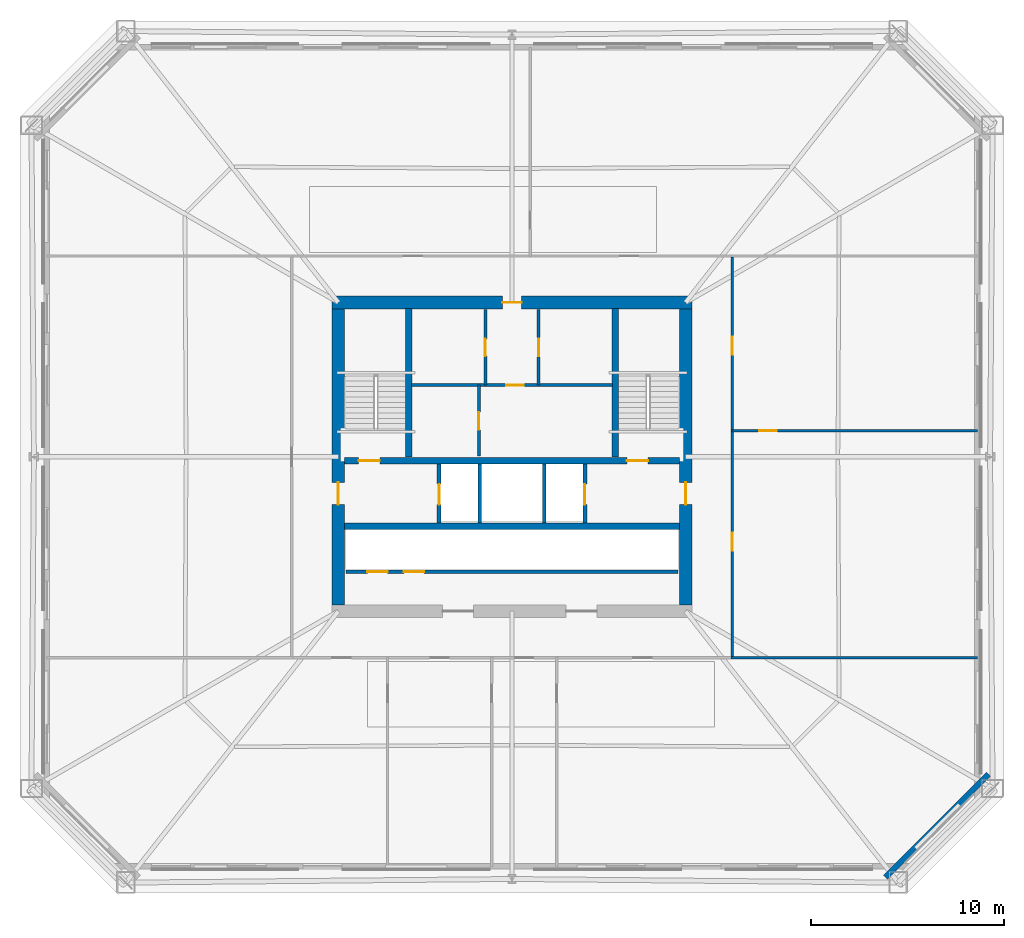
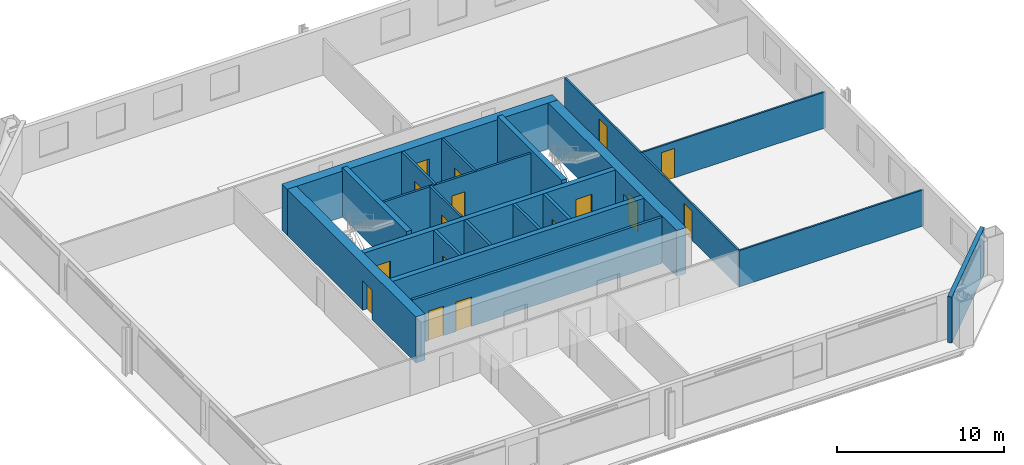
# One storey, part 5 of 9: 20 walls, 16 doors, 16 openings.
"""IFC4 building model written with IfcOpenShell, lengths in metres."""

import ifcopenshell
import ifcopenshell.guid

model = None  # the IFC model being written
_history = None  # IfcOwnerHistory: only IFC2X3 demands one
_inside = {}  # id of a spatial element -> (the spatial element, [elements in it])
_under = {}  # id of a project, library or spatial element -> (it, [spatial elements below it])
_declared = {}  # id of a project -> (the project, [libraries it declares])
_typed = {}  # id of a type object -> (the type object, [elements of that type])
_made_of = {}  # id of a material, layer set ... -> (it, [elements and type objects made of it])


def new_model(schema):
    """Start an empty IFC model of exactly this schema.

    Asked for "IFC4X3", IfcOpenShell would pick the latest addendum, in which some entities
    have other attributes; the version numbers below select the first issue.
    IFC2X3 requires an IfcOwnerHistory on every rooted entity: one is made here for all.
    """
    global model, _history
    if schema == "IFC4X3":
        model = ifcopenshell.file(schema_version=(4, 3, 0, 0))
    else:
        model = ifcopenshell.file(schema=schema)
    _inside.clear()
    _under.clear()
    _declared.clear()
    _typed.clear()
    _made_of.clear()
    _history = None
    if model.schema == "IFC2X3":
        org = make("IfcOrganization", Name="unknown")
        user = make(
            "IfcPersonAndOrganization",
            ThePerson=make("IfcPerson", FamilyName="unknown"),
            TheOrganization=org,
        )
        app = make(
            "IfcApplication",
            ApplicationDeveloper=org,
            Version="unknown",
            ApplicationFullName="unknown",
            ApplicationIdentifier="unknown",
        )
        _history = make(
            "IfcOwnerHistory",
            OwningUser=user,
            OwningApplication=app,
            ChangeAction="ADDED",
            CreationDate=0,
        )
    return model


def make(cls, **values):
    """One entity of the class cls with the attributes given. An attribute that is None is left unset."""
    return model.create_entity(
        cls, **{name: value for name, value in values.items() if value is not None}
    )


def rooted(cls, **values):
    """An entity with a GlobalId (a new one), such as an element, a storey or a relation."""
    return make(cls, GlobalId=ifcopenshell.guid.new(), OwnerHistory=_history, **values)


def si_unit(unit_type, name, prefix=None):
    """IfcSIUnit, for example si_unit("LENGTHUNIT", "METRE", prefix="MILLI")."""
    return make("IfcSIUnit", UnitType=unit_type, Prefix=prefix, Name=name)


def assignment(units):
    """IfcUnitAssignment: the units of a project."""
    return None if units is None else make("IfcUnitAssignment", Units=units)


def point(xyz):
    """IfcCartesianPoint."""
    return None if xyz is None else make("IfcCartesianPoint", Coordinates=xyz)


def direction(xyz):
    """IfcDirection."""
    return None if xyz is None else make("IfcDirection", DirectionRatios=xyz)


def frame(location, z_axis=None, x_axis=None):
    """IfcAxis2Placement3D, a coordinate frame: its origin and axes. An axis left out is left unset."""
    return make(
        "IfcAxis2Placement3D",
        Location=point(location),
        Axis=direction(z_axis),
        RefDirection=direction(x_axis),
    )


def frame_2d(location, x_axis=None):
    """IfcAxis2Placement2D, a coordinate frame in the plane: its origin and x axis."""
    return make(
        "IfcAxis2Placement2D", Location=point(location), RefDirection=direction(x_axis)
    )


def origin():
    """The frame at (0, 0, 0) with its axes left unset."""
    return frame((0.0, 0.0, 0.0))


def place(relative_to, where):
    """IfcLocalPlacement: puts the frame where relative to a parent placement (None: the world)."""
    return make(
        "IfcLocalPlacement", PlacementRelTo=relative_to, RelativePlacement=where
    )


def context(
    kind, dimensions, precision=None, world=None, true_north=None, identifier=None
):
    """IfcGeometricRepresentationContext, for example the 3D "Model" context."""
    return make(
        "IfcGeometricRepresentationContext",
        ContextIdentifier=identifier,
        ContextType=kind,
        CoordinateSpaceDimension=dimensions,
        Precision=precision,
        WorldCoordinateSystem=world,
        TrueNorth=true_north,
    )


def subcontext(parent, identifier, kind, view, scale=None):
    """IfcGeometricRepresentationSubContext, for example "Body" below "Model"."""
    return make(
        "IfcGeometricRepresentationSubContext",
        ContextIdentifier=identifier,
        ContextType=kind,
        ParentContext=parent,
        TargetScale=scale,
        TargetView=view,
    )


def project(units=None, contexts=None):
    """IfcProject with its units and contexts."""
    return rooted(
        "IfcProject",
        Name="project",
        RepresentationContexts=contexts,
        UnitsInContext=assignment(units),
    )


def spatial(cls, under=None, at=None, **own):
    """A site, building, storey or space (cls), placed at a placement, below another one or the project."""
    s = rooted(cls, ObjectPlacement=at, **own)
    if under is not None:
        _under.setdefault(under.id(), (under, []))[1].append(s)
    return s


def profile(cls, at=None, kind="AREA", **sizes):
    """A parametric profile (cls). Its sizes go by their IFC names, for example OverallWidth=200.0."""
    return make(cls, ProfileType=kind, Position=at, **sizes)


def rectangle(**sizes):
    """IfcRectangleProfileDef."""
    return profile("IfcRectangleProfileDef", **sizes)


def extrude(swept, where, along, depth):
    """IfcExtrudedAreaSolid: the profile swept, set in the frame where, extruded along a direction by depth."""
    return make(
        "IfcExtrudedAreaSolid",
        SweptArea=swept,
        Position=where,
        ExtrudedDirection=direction(along),
        Depth=depth,
    )


def shape(context_of_items, identifier, shape_type, items):
    """IfcShapeRepresentation: the items that make up one representation, for example the "Body"."""
    return make(
        "IfcShapeRepresentation",
        ContextOfItems=context_of_items,
        RepresentationIdentifier=identifier,
        RepresentationType=shape_type,
        Items=items,
    )


def material(Name=None, Category=None):
    """IfcMaterial."""
    return make("IfcMaterial", Name=Name, Category=Category)


def layer(
    of_material, thickness, ventilated=None, Name=None, Category=None, Priority=None
):
    """IfcMaterialLayer: one layer of a wall or slab, of a material (None: an air gap)."""
    return make(
        "IfcMaterialLayer",
        Material=of_material,
        LayerThickness=thickness,
        IsVentilated=ventilated,
        Name=Name,
        Category=Category,
        Priority=Priority,
    )


def layer_set(layers, Name=None):
    """IfcMaterialLayerSet."""
    return make("IfcMaterialLayerSet", MaterialLayers=layers, LayerSetName=Name)


def made_of(thing, what):
    """Note that an element or type object is made of a material, layer set ...; save() writes the relation."""
    if what is not None:
        _made_of.setdefault(what.id(), (what, []))[1].append(thing)
    return thing


def type_object(cls, material=None, **own):
    """A type object (cls), such as IfcWallType, which elements share."""
    return made_of(rooted(cls, **own), material)


def element(
    cls,
    number,
    at=None,
    inside=None,
    cuts=None,
    type_object=None,
    material=None,
    context=None,
    identifier="Body",
    shape_type=None,
    held_by="IfcProductDefinitionShape",
    body=None,
    shapes=None,
    **own,
):
    """One element of the class cls, such as IfcWall. Its Tag is "e" and its number.

    at: its placement. inside: the storey or other place that contains it. cuts: it is an
    opening in that element (IfcRelVoidsElement). A single representation is given by context,
    identifier, shape_type and body (its items); several are given by shapes. held_by: the class
    of the entity that holds the representations. save() writes the other relations.
    """
    e = rooted(cls, Tag="e%d" % number, ObjectPlacement=at, **own)
    if body is not None:
        shapes = [shape(context, identifier, shape_type, body)]
    if shapes is not None:
        e.Representation = make(held_by, Representations=shapes)
    if inside is not None:
        _inside.setdefault(inside.id(), (inside, []))[1].append(e)
    if cuts is not None:
        rooted(
            "IfcRelVoidsElement", RelatingBuildingElement=cuts, RelatedOpeningElement=e
        )
    if type_object is not None:
        _typed.setdefault(type_object.id(), (type_object, []))[1].append(e)
    return made_of(e, material)


def fill(opening, filler):
    """IfcRelFillsElement: the door or window that sits in an opening."""
    return rooted(
        "IfcRelFillsElement",
        RelatingOpeningElement=opening,
        RelatedBuildingElement=filler,
    )


def aggregate(whole, parts):
    """IfcRelAggregates: a whole, such as a stair, and the parts it consists of."""
    return rooted("IfcRelAggregates", RelatingObject=whole, RelatedObjects=parts)


def save(model, path):
    """Write the relations noted so far, then the file.

    IfcRelAggregates (storeys below a building ...), IfcRelContainedInSpatialStructure (elements
    in a storey), IfcRelDefinesByType, IfcRelAssociatesMaterial and IfcRelDeclares: one each for
    every whole, place, type object, material and project.
    """
    for whole, parts in _under.values():
        aggregate(whole, parts)
    for where, things in _inside.values():
        rooted(
            "IfcRelContainedInSpatialStructure",
            RelatedElements=things,
            RelatingStructure=where,
        )
    for kind, things in _typed.values():
        rooted("IfcRelDefinesByType", RelatedObjects=things, RelatingType=kind)
    for what, things in _made_of.values():
        rooted("IfcRelAssociatesMaterial", RelatedObjects=things, RelatingMaterial=what)
    for by, libraries in _declared.values():
        rooted("IfcRelDeclares", RelatingContext=by, RelatedDefinitions=libraries)
    model.write(path)


model = new_model("IFC4")

# Units and contexts
model_context = context("Model", 3, precision=1e-05, world=origin(), true_north=direction((0.0, 1.0)))
body_context = subcontext(model_context, "Body", "Model", "MODEL_VIEW")
ifc_project = project(units=[si_unit("LENGTHUNIT", "METRE"), si_unit("AREAUNIT", "SQUARE_METRE"), si_unit("VOLUMEUNIT", "CUBIC_METRE"), si_unit("PLANEANGLEUNIT", "RADIAN"), si_unit("MASSUNIT", "GRAM", prefix="KILO")], contexts=[model_context])

# Site, building, storey
site_placement = place(None, origin())
site = spatial("IfcSite", under=ifc_project, at=site_placement, CompositionType="ELEMENT")
building_placement = place(site_placement, origin())
building = spatial("IfcBuilding", under=site, at=building_placement, Name="Caelvoria Tower", CompositionType="ELEMENT")
storey_placement = place(building_placement, frame((0.0, 0.0, 53.199951171875)))
storey = spatial("IfcBuildingStorey", under=building, at=storey_placement, Name="L13", CompositionType="ELEMENT", Elevation=53.199951171875)

# Wall, openings, doors
ifc_material_1 = material(Name="Concrete C50/60", Category="concrete")
ifc_layer_1 = layer(ifc_material_1, 0.35009765625, Name="Concrete C50/60")
ifc_layer_set_1 = layer_set([ifc_layer_1], Name="Core Internal Shear Wall 350 - Concrete C50/60")
wall_type_1 = type_object("IfcWallType", Name="Core Internal Shear Wall 350", PredefinedType="SHEAR", material=ifc_layer_set_1)
wall_1_placement = place(storey_placement, frame((37.324951171875, 31.800048828125, 0.0), z_axis=(0.0, 0.0, 1.0), x_axis=(1.0, 0.0, 0.0)))
wall_1 = element("IfcWall", 1, at=wall_1_placement, inside=storey, type_object=wall_type_1, Name="Core Shear Wall L13 M1", PredefinedType="SHEAR", context=body_context, shape_type="SweptSolid", body=[
    extrude(rectangle(XDim=17.35009765625, YDim=0.35009765625, at=frame_2d((8.675048828125, 0.0))), origin(), (0.0, 0.0, 1.0), 3.360107421875),
])
opening_1_placement = place(wall_1_placement, frame((0.72509765625, 0.0, 0.0)))
opening_1 = element("IfcOpeningElement", 2, at=opening_1_placement, cuts=wall_1, Name="Opening ID-01", PredefinedType="OPENING", context=body_context, shape_type="SweptSolid", body=[
    extrude(rectangle(XDim=1.10009765625, YDim=2.14990234375, at=frame_2d((0.550048828125, 1.074951171875))), frame((0.0, 0.18505859375, 0.0), z_axis=(0.0, -1.0, 0.0), x_axis=(1.0, 0.0, 0.0)), (0.0, 0.0, 1.0), 0.3701171875),
])
opening_2_placement = place(wall_1_placement, frame((14.625, 0.0, 0.0)))
opening_2 = element("IfcOpeningElement", 3, at=opening_2_placement, cuts=wall_1, Name="Opening ID-01", PredefinedType="OPENING", context=body_context, shape_type="SweptSolid", body=[
    extrude(rectangle(XDim=1.10009765625, YDim=2.14990234375, at=frame_2d((0.550048828125, 1.074951171875))), frame((0.0, 0.18505859375, 0.0), z_axis=(0.0, -1.0, 0.0), x_axis=(1.0, 0.0, 0.0)), (0.0, 0.0, 1.0), 0.3701171875),
])
ifc_material_2 = material(Name="Painted Hollow Steel Fire Door", Category="steel")
door_type_1 = type_object("IfcDoorType", Name="Fire Door FD90S 1100x2150", OperationType="NOTDEFINED", PredefinedType="DOOR", material=ifc_material_2)
door_1_placement = place(opening_1_placement, origin())
door_1 = element("IfcDoor", 4, at=door_1_placement, inside=storey, type_object=door_type_1, Name="Core Door DR-L13-ST1", OperationType="SINGLE_SWING_LEFT", OverallHeight=2.14990234375, OverallWidth=1.10009765625, PredefinedType="DOOR", context=body_context, shape_type="SweptSolid", body=[
    extrude(rectangle(XDim=1.10009765625, YDim=2.14990234375, at=frame_2d((0.550048828125, 1.074951171875))), frame((0.0, 0.02490234375, 0.0), z_axis=(0.0, -1.0, 0.0), x_axis=(1.0, 0.0, 0.0)), (0.0, 0.0, 1.0), 0.050048828125),
])
fill(opening_1, door_1)
door_2_placement = place(opening_2_placement, origin())
door_2 = element("IfcDoor", 5, at=door_2_placement, inside=storey, type_object=door_type_1, Name="Core Door DR-L13-ST2", OperationType="SINGLE_SWING_RIGHT", OverallHeight=2.14990234375, OverallWidth=1.10009765625, PredefinedType="DOOR", context=body_context, shape_type="SweptSolid", body=[
    extrude(rectangle(XDim=1.10009765625, YDim=2.14990234375, at=frame_2d((0.550048828125, 1.074951171875))), frame((0.0, 0.02490234375, 0.0), z_axis=(0.0, -1.0, 0.0), x_axis=(1.0, 0.0, 0.0)), (0.0, 0.0, 1.0), 0.050048828125),
])
fill(opening_2, door_2)

# Walls
wall_2_placement = place(storey_placement, frame((37.324951171875, 28.39990234375, 0.0), z_axis=(0.0, 0.0, 1.0), x_axis=(1.0, 0.0, 0.0)))
element("IfcWall", 6, at=wall_2_placement, inside=storey, type_object=wall_type_1, Name="Core Shear Wall L13 M2", PredefinedType="SHEAR", context=body_context, shape_type="SweptSolid", body=[
    extrude(rectangle(XDim=17.35009765625, YDim=0.35009765625, at=frame_2d((8.675048828125, 0.0))), origin(), (0.0, 0.0, 1.0), 3.360107421875),
])
for number, where, z_axis, x_axis, name in (
    (7, (40.64990234375, 32.0, 0.0), (0.0, 0.0, 1.0), (0.0, 1.0, 0.0), "Interior Partition IW-L13-ST1E"),
    (8, (51.35009765625, 32.0, 0.0), (0.0, 0.0, 1.0), (0.0, 1.0, 0.0), "Interior Partition IW-L13-ST2W"),
):
    element("IfcWall", number, at=place(storey_placement, frame(where, z_axis=z_axis, x_axis=x_axis)), inside=storey, type_object=wall_type_1, Name=name, PredefinedType="SHEAR", context=body_context, shape_type="SweptSolid", body=[
        extrude(rectangle(XDim=7.699951171875, YDim=0.35009765625, at=frame_2d((3.85009765625, 0.0))), origin(), (0.0, 0.0, 1.0), 3.60009765625),
    ])

# Wall, opening, door
ifc_material_3 = material(Name="Double Gypsum Board on Steel Stud", Category="steel")
ifc_layer_2 = layer(ifc_material_3, 0.14990234375, Name="Double Gypsum Board on Steel Stud")
ifc_layer_set_2 = layer_set([ifc_layer_2], Name="Core Service Acoustic Partition Wall 150 - Double Gypsum Board on Steel Stud")
wall_type_2 = type_object("IfcWallType", Name="Core Service Acoustic Partition Wall 150", PredefinedType="PARTITIONING", material=ifc_layer_set_2)
wall_3_placement = place(storey_placement, frame((44.6201171875, 35.719970703125, 0.0), z_axis=(0.0, 0.0, 1.0), x_axis=(0.0, 1.0, 0.0)))
wall_3 = element("IfcWall", 9, at=wall_3_placement, inside=storey, type_object=wall_type_2, Name="Interior Partition IW-L13-C0L", PredefinedType="PARTITIONING", context=body_context, shape_type="SweptSolid", body=[
    extrude(rectangle(XDim=3.929931640625, YDim=0.14990234375, at=frame_2d((1.96484375, 0.0))), origin(), (0.0, 0.0, 1.0), 3.360107421875),
])
opening_3_placement = place(wall_3_placement, frame((1.5, 0.0, 0.0)))
opening_3 = element("IfcOpeningElement", 10, at=opening_3_placement, cuts=wall_3, Name="Opening ID-06", PredefinedType="OPENING", context=body_context, shape_type="SweptSolid", body=[
    extrude(rectangle(XDim=0.89990234375, YDim=2.14990234375, at=frame_2d((0.449951171875, 1.074951171875))), frame((0.0, 0.0849609375, 0.0), z_axis=(0.0, -1.0, 0.0), x_axis=(1.0, 0.0, 0.0)), (0.0, 0.0, 1.0), 0.169921875),
])
ifc_material_4 = material(Name="Engineered Andean Oak Veneer Door", Category="wood")
door_type_2 = type_object("IfcDoorType", Name="Interior Timber Door 900x2150", OperationType="NOTDEFINED", PredefinedType="DOOR", material=ifc_material_4)
door_3_placement = place(opening_3_placement, origin())
door_3 = element("IfcDoor", 11, at=door_3_placement, inside=storey, type_object=door_type_2, Name="Interior Door DR-L13-C01", OperationType="SINGLE_SWING_LEFT", OverallHeight=2.14990234375, OverallWidth=0.89990234375, PredefinedType="DOOR", context=body_context, shape_type="SweptSolid", body=[
    extrude(rectangle(XDim=0.89990234375, YDim=2.14990234375, at=frame_2d((0.449951171875, 1.074951171875))), frame((0.0, 0.02490234375, 0.0), z_axis=(0.0, -1.0, 0.0), x_axis=(1.0, 0.0, 0.0)), (0.0, 0.0, 1.0), 0.050048828125),
])
fill(opening_3, door_3)

wall_4_placement = place(storey_placement, frame((47.3798828125, 35.719970703125, 0.0), z_axis=(0.0, 0.0, 1.0), x_axis=(0.0, 1.0, 0.0)))
wall_4 = element("IfcWall", 12, at=wall_4_placement, inside=storey, type_object=wall_type_2, Name="Interior Partition IW-L13-C0R", PredefinedType="PARTITIONING", context=body_context, shape_type="SweptSolid", body=[
    extrude(rectangle(XDim=3.929931640625, YDim=0.14990234375, at=frame_2d((1.96484375, 0.0))), origin(), (0.0, 0.0, 1.0), 3.360107421875),
])
opening_4_placement = place(wall_4_placement, frame((1.5, 0.0, 0.0)))
opening_4 = element("IfcOpeningElement", 13, at=opening_4_placement, cuts=wall_4, Name="Opening ID-06", PredefinedType="OPENING", context=body_context, shape_type="SweptSolid", body=[
    extrude(rectangle(XDim=0.89990234375, YDim=2.14990234375, at=frame_2d((0.449951171875, 1.074951171875))), frame((0.0, 0.0849609375, 0.0), z_axis=(0.0, -1.0, 0.0), x_axis=(1.0, 0.0, 0.0)), (0.0, 0.0, 1.0), 0.169921875),
])
door_4_placement = place(opening_4_placement, origin())
door_4 = element("IfcDoor", 14, at=door_4_placement, inside=storey, type_object=door_type_2, Name="Interior Door DR-L13-C02", OperationType="SINGLE_SWING_RIGHT", OverallHeight=2.14990234375, OverallWidth=0.89990234375, PredefinedType="DOOR", context=body_context, shape_type="SweptSolid", body=[
    extrude(rectangle(XDim=0.89990234375, YDim=2.14990234375, at=frame_2d((0.449951171875, 1.074951171875))), frame((0.0, 0.02490234375, 0.0), z_axis=(0.0, -1.0, 0.0), x_axis=(1.0, 0.0, 0.0)), (0.0, 0.0, 1.0), 0.050048828125),
])
fill(opening_4, door_4)

wall_5_placement = place(storey_placement, frame((44.280029296875, 32.050048828125, 0.0), z_axis=(0.0, 0.0, 1.0), x_axis=(0.0, 1.0, 0.0)))
wall_5 = element("IfcWall", 15, at=wall_5_placement, inside=storey, type_object=wall_type_2, Name="Interior Partition IW-L13-C0M", PredefinedType="PARTITIONING", context=body_context, shape_type="SweptSolid", body=[
    extrude(rectangle(XDim=3.669921875, YDim=0.14990234375, at=frame_2d((1.8349609375, 0.0))), origin(), (0.0, 0.0, 1.0), 3.360107421875),
])
opening_5_placement = place(wall_5_placement, frame((1.35009765625, 0.0, 0.0)))
opening_5 = element("IfcOpeningElement", 16, at=opening_5_placement, cuts=wall_5, Name="Opening ID-07", PredefinedType="OPENING", context=body_context, shape_type="SweptSolid", body=[
    extrude(rectangle(XDim=0.919921875, YDim=2.14990234375, at=frame_2d((0.4599609375, 1.074951171875))), frame((0.0, 0.0849609375, 0.0), z_axis=(0.0, -1.0, 0.0), x_axis=(1.0, 0.0, 0.0)), (0.0, 0.0, 1.0), 0.169921875),
])
ifc_material_5 = material(Name="Engineered Andean Oak Accessible Door", Category="wood")
door_type_3 = type_object("IfcDoorType", Name="Accessible WC Door 950x2150", OperationType="NOTDEFINED", PredefinedType="DOOR", material=ifc_material_5)
door_5_placement = place(opening_5_placement, origin())
door_5 = element("IfcDoor", 17, at=door_5_placement, inside=storey, type_object=door_type_3, Name="Interior Door DR-L13-C05", OperationType="SINGLE_SWING_LEFT", OverallHeight=2.14990234375, OverallWidth=0.919921875, PredefinedType="DOOR", context=body_context, shape_type="SweptSolid", body=[
    extrude(rectangle(XDim=0.919921875, YDim=2.14990234375, at=frame_2d((0.4599609375, 1.074951171875))), frame((0.0, 0.02490234375, 0.0), z_axis=(0.0, -1.0, 0.0), x_axis=(1.0, 0.0, 0.0)), (0.0, 0.0, 1.0), 0.050048828125),
])
fill(opening_5, door_5)

wall_6_placement = place(storey_placement, frame((40.800048828125, 35.719970703125, 0.0), z_axis=(0.0, 0.0, 1.0), x_axis=(1.0, 0.0, 0.0)))
wall_6 = element("IfcWall", 18, at=wall_6_placement, inside=storey, type_object=wall_type_2, Name="Interior Partition IW-L13-C0H", PredefinedType="PARTITIONING", context=body_context, shape_type="SweptSolid", body=[
    extrude(rectangle(XDim=10.39990234375, YDim=0.14990234375, at=frame_2d((5.199951171875, 0.0))), origin(), (0.0, 0.0, 1.0), 3.360107421875),
])
opening_6_placement = place(wall_6_placement, frame((4.89990234375, 0.0, 0.0)))
opening_6 = element("IfcOpeningElement", 19, at=opening_6_placement, cuts=wall_6, Name="Opening ID-04", PredefinedType="OPENING", context=body_context, shape_type="SweptSolid", body=[
    extrude(rectangle(XDim=0.89990234375, YDim=2.14990234375, at=frame_2d((0.449951171875, 1.074951171875))), frame((0.0, 0.0849609375, 0.0), z_axis=(0.0, -1.0, 0.0), x_axis=(1.0, 0.0, 0.0)), (0.0, 0.0, 1.0), 0.169921875),
])
ifc_material_6 = material(Name="Acoustic Timber Fire Door", Category="wood")
door_type_4 = type_object("IfcDoorType", Name="Fire Door FD30S 900x2150", OperationType="NOTDEFINED", PredefinedType="DOOR", material=ifc_material_6)
door_6_placement = place(opening_6_placement, origin())
door_6 = element("IfcDoor", 20, at=door_6_placement, inside=storey, type_object=door_type_4, Name="Interior Door DR-L13-C04", OperationType="SINGLE_SWING_RIGHT", OverallHeight=2.14990234375, OverallWidth=0.89990234375, PredefinedType="DOOR", context=body_context, shape_type="SweptSolid", body=[
    extrude(rectangle(XDim=0.89990234375, YDim=2.14990234375, at=frame_2d((0.449951171875, 1.074951171875))), frame((0.0, 0.02490234375, 0.0), z_axis=(0.0, -1.0, 0.0), x_axis=(1.0, 0.0, 0.0)), (0.0, 0.0, 1.0), 0.050048828125),
])
fill(opening_6, door_6)

# Walls
ifc_material_7 = material(Name="Precast Concrete C40/50 with Bronze Cladding", Category="concrete")
ifc_layer_3 = layer(ifc_material_7, 0.280029296875, Name="Precast Concrete C40/50 with Bronze Cladding")
ifc_layer_set_3 = layer_set([ifc_layer_3], Name="Exterior Precast Concrete C40/50 Bronze-Clad Facade Wall 280 - Precast Concrete C40/50 with Bronze Cladding")
wall_type_3 = type_object("IfcWallType", Name="Exterior Precast Concrete C40/50 Bronze-Clad Facade Wall 280", PredefinedType="STANDARD", material=ifc_layer_set_3)
wall_7_placement = place(storey_placement, frame((65.3544921875, 10.2060546875, 0.0), z_axis=(0.0, 0.0, 1.0), x_axis=(0.707106781187, 0.707106781187, 0.0)))
element("IfcWall", 21, at=wall_7_placement, inside=storey, type_object=wall_type_3, Name="Exterior Facade Wall L13-E1", PredefinedType="STANDARD", context=body_context, shape_type="SweptSolid", body=[
    extrude(rectangle(XDim=7.551025390625, YDim=0.280029296875, at=frame_2d((3.775390625, 0.0))), origin(), (0.0, 0.0, 1.0), 3.360107421875),
])
ifc_material_8 = material(Name="Concrete Block and Fireboard Assembly", Category="concrete")
ifc_layer_4 = layer(ifc_material_8, 0.179931640625, Name="Concrete Block and Fireboard Assembly")
ifc_layer_set_4 = layer_set([ifc_layer_4], Name="Fire-Rated Hoistway Partition Wall 180 - Concrete Block and Fireboard Assembly")
wall_type_4 = type_object("IfcWallType", Name="Fire-Rated Hoistway Partition Wall 180", PredefinedType="PARTITIONING", material=ifc_layer_set_4)
for number, where, z_axis, x_axis, name in (
    (22, (44.320068359375, 28.580078125, 0.0), (0.0, 0.0, 1.0), (0.0, 1.0, 0.0), "Interior Partition IW-L13-SV1W"),
    (23, (47.679931640625, 28.580078125, 0.0), (0.0, 0.0, 1.0), (0.0, 1.0, 0.0), "Interior Partition IW-L13-SV1E"),
):
    element("IfcWall", number, at=place(storey_placement, frame(where, z_axis=z_axis, x_axis=x_axis)), inside=storey, type_object=wall_type_4, Name=name, PredefinedType="PARTITIONING", context=body_context, shape_type="SweptSolid", body=[
        extrude(rectangle(XDim=3.0400390625, YDim=0.179931640625, at=frame_2d((1.52001953125, 0.0))), origin(), (0.0, 0.0, 1.0), 3.360107421875),
    ])

# Wall, openings, doors
wall_8_placement = place(storey_placement, frame((37.39990234375, 26.050048828125, 0.0), z_axis=(0.0, 0.0, 1.0), x_axis=(1.0, 0.0, 0.0)))
wall_8 = element("IfcWall", 24, at=wall_8_placement, inside=storey, type_object=wall_type_4, Name="Interior Partition IW-L13-LFRONT", PredefinedType="PARTITIONING", context=body_context, shape_type="SweptSolid", body=[
    extrude(rectangle(XDim=17.2001953125, YDim=0.179931640625, at=frame_2d((8.60009765625, 0.0))), origin(), (0.0, 0.0, 1.0), 3.360107421875),
])
opening_7_placement = place(wall_8_placement, frame((1.10009765625, 0.0, 0.0)))
opening_7 = element("IfcOpeningElement", 25, at=opening_7_placement, cuts=wall_8, Name="Opening LD-01", PredefinedType="OPENING", context=body_context, shape_type="SweptSolid", body=[
    extrude(rectangle(XDim=1.050048828125, YDim=2.14990234375, at=frame_2d((0.52490234375, 1.074951171875))), frame((0.0, 0.099853515625, 0.0), z_axis=(0.0, -1.0, 0.0), x_axis=(1.0, 0.0, 0.0)), (0.0, 0.0, 1.0), 0.199951171875),
])
opening_8_placement = place(wall_8_placement, frame((3.0, 0.0, 0.0)))
opening_8 = element("IfcOpeningElement", 26, at=opening_8_placement, cuts=wall_8, Name="Opening LD-01", PredefinedType="OPENING", context=body_context, shape_type="SweptSolid", body=[
    extrude(rectangle(XDim=1.050048828125, YDim=2.14990234375, at=frame_2d((0.52490234375, 1.074951171875))), frame((0.0, 0.099853515625, 0.0), z_axis=(0.0, -1.0, 0.0), x_axis=(1.0, 0.0, 0.0)), (0.0, 0.0, 1.0), 0.199951171875),
])
ifc_material_9 = material(Name="Brushed Bronze Stainless Sliding Landing Door", Category="aluminium")
door_type_5 = type_object("IfcDoorType", Name="Lift Landing Sliding Door 1100x2150", OperationType="NOTDEFINED", PredefinedType="DOOR", material=ifc_material_9)
door_7_placement = place(opening_7_placement, origin())
door_7 = element("IfcDoor", 27, at=door_7_placement, inside=storey, type_object=door_type_5, Name="Interior Door LD-L13-PL1", OperationType="SLIDING_TO_LEFT", OverallHeight=2.14990234375, OverallWidth=1.050048828125, PredefinedType="DOOR", context=body_context, shape_type="SweptSolid", body=[
    extrude(rectangle(XDim=1.050048828125, YDim=2.14990234375, at=frame_2d((0.52490234375, 1.074951171875))), frame((0.0, 0.02490234375, 0.0), z_axis=(0.0, -1.0, 0.0), x_axis=(1.0, 0.0, 0.0)), (0.0, 0.0, 1.0), 0.050048828125),
])
fill(opening_7, door_7)
door_8_placement = place(opening_8_placement, origin())
door_8 = element("IfcDoor", 28, at=door_8_placement, inside=storey, type_object=door_type_5, Name="Interior Door LD-L13-PL2", OperationType="SLIDING_TO_RIGHT", OverallHeight=2.14990234375, OverallWidth=1.050048828125, PredefinedType="DOOR", context=body_context, shape_type="SweptSolid", body=[
    extrude(rectangle(XDim=1.050048828125, YDim=2.14990234375, at=frame_2d((0.52490234375, 1.074951171875))), frame((0.0, 0.02490234375, 0.0), z_axis=(0.0, -1.0, 0.0), x_axis=(1.0, 0.0, 0.0)), (0.0, 0.0, 1.0), 0.050048828125),
])
fill(opening_8, door_8)

# Wall, opening, door
ifc_layer_5 = layer(ifc_material_8, 0.199951171875, Name="Concrete Block and Fireboard Assembly")
ifc_layer_set_5 = layer_set([ifc_layer_5], Name="Fire-Rated Shaft and Core Partition Wall 200 - Concrete Block and Fireboard Assembly")
wall_type_5 = type_object("IfcWallType", Name="Fire-Rated Shaft and Core Partition Wall 200", PredefinedType="PARTITIONING", material=ifc_layer_set_5)
wall_9_placement = place(storey_placement, frame((42.219970703125, 28.580078125, 0.0), z_axis=(0.0, 0.0, 1.0), x_axis=(0.0, 1.0, 0.0)))
wall_9 = element("IfcWall", 29, at=wall_9_placement, inside=storey, type_object=wall_type_5, Name="Interior Partition IW-L13-LF1W", PredefinedType="PARTITIONING", context=body_context, shape_type="SweptSolid", body=[
    extrude(rectangle(XDim=3.0400390625, YDim=0.199951171875, at=frame_2d((1.52001953125, 0.0))), origin(), (0.0, 0.0, 1.0), 3.360107421875),
])
opening_9_placement = place(wall_9_placement, frame((0.949951171875, 0.0, 0.0)))
opening_9 = element("IfcOpeningElement", 30, at=opening_9_placement, cuts=wall_9, Name="Opening LD-01", PredefinedType="OPENING", context=body_context, shape_type="SweptSolid", body=[
    extrude(rectangle(XDim=1.050048828125, YDim=2.14990234375, at=frame_2d((0.52490234375, 1.074951171875))), frame((0.0, 0.10986328125, 0.0), z_axis=(0.0, -1.0, 0.0), x_axis=(1.0, 0.0, 0.0)), (0.0, 0.0, 1.0), 0.219970703125),
])
door_9_placement = place(opening_9_placement, origin())
door_9 = element("IfcDoor", 31, at=door_9_placement, inside=storey, type_object=door_type_5, Name="Interior Door LD-L13-LF1", OperationType="SLIDING_TO_LEFT", OverallHeight=2.14990234375, OverallWidth=1.050048828125, PredefinedType="DOOR", context=body_context, shape_type="SweptSolid", body=[
    extrude(rectangle(XDim=1.050048828125, YDim=2.14990234375, at=frame_2d((0.52490234375, 1.074951171875))), frame((0.0, 0.02490234375, 0.0), z_axis=(0.0, -1.0, 0.0), x_axis=(1.0, 0.0, 0.0)), (0.0, 0.0, 1.0), 0.050048828125),
])
fill(opening_9, door_9)

wall_10_placement = place(storey_placement, frame((49.780029296875, 28.580078125, 0.0), z_axis=(0.0, 0.0, 1.0), x_axis=(0.0, 1.0, 0.0)))
wall_10 = element("IfcWall", 32, at=wall_10_placement, inside=storey, type_object=wall_type_5, Name="Interior Partition IW-L13-LF2E", PredefinedType="PARTITIONING", context=body_context, shape_type="SweptSolid", body=[
    extrude(rectangle(XDim=3.0400390625, YDim=0.199951171875, at=frame_2d((1.52001953125, 0.0))), origin(), (0.0, 0.0, 1.0), 3.360107421875),
])
opening_10_placement = place(wall_10_placement, frame((0.949951171875, 0.0, 0.0)))
opening_10 = element("IfcOpeningElement", 33, at=opening_10_placement, cuts=wall_10, Name="Opening LD-01", PredefinedType="OPENING", context=body_context, shape_type="SweptSolid", body=[
    extrude(rectangle(XDim=1.050048828125, YDim=2.14990234375, at=frame_2d((0.52490234375, 1.074951171875))), frame((0.0, 0.10986328125, 0.0), z_axis=(0.0, -1.0, 0.0), x_axis=(1.0, 0.0, 0.0)), (0.0, 0.0, 1.0), 0.219970703125),
])
door_10_placement = place(opening_10_placement, origin())
door_10 = element("IfcDoor", 34, at=door_10_placement, inside=storey, type_object=door_type_5, Name="Interior Door LD-L13-LF2", OperationType="SLIDING_TO_RIGHT", OverallHeight=2.14990234375, OverallWidth=1.050048828125, PredefinedType="DOOR", context=body_context, shape_type="SweptSolid", body=[
    extrude(rectangle(XDim=1.050048828125, YDim=2.14990234375, at=frame_2d((0.52490234375, 1.074951171875))), frame((0.0, 0.02490234375, 0.0), z_axis=(0.0, -1.0, 0.0), x_axis=(1.0, 0.0, 0.0)), (0.0, 0.0, 1.0), 0.050048828125),
])
fill(opening_10, door_10)

ifc_material_10 = material(Name="Concrete C60/75", Category="concrete")
ifc_layer_6 = layer(ifc_material_10, 0.64990234375, Name="Concrete C60/75")
ifc_layer_set_6 = layer_set([ifc_layer_6], Name="Lower Core Shear Wall 650 - Concrete C60/75")
wall_type_6 = type_object("IfcWallType", Name="Lower Core Shear Wall 650", PredefinedType="SHEAR", material=ifc_layer_set_6)
wall_11_placement = place(storey_placement, frame((36.675048828125, 40.0, 0.0), z_axis=(0.0, 0.0, 1.0), x_axis=(1.0, 0.0, 0.0)))
wall_11 = element("IfcWall", 35, at=wall_11_placement, inside=storey, type_object=wall_type_6, Name="Core Shear Wall L13 N", PredefinedType="SHEAR", context=body_context, shape_type="SweptSolid", body=[
    extrude(rectangle(XDim=18.64990234375, YDim=0.64990234375, at=frame_2d((9.324951171875, 0.0))), origin(), (0.0, 0.0, 1.0), 3.360107421875),
])
opening_11_placement = place(wall_11_placement, frame((8.824951171875, 0.0, 0.0)))
opening_11 = element("IfcOpeningElement", 36, at=opening_11_placement, cuts=wall_11, Name="Opening ID-03", PredefinedType="OPENING", context=body_context, shape_type="SweptSolid", body=[
    extrude(rectangle(XDim=1.0, YDim=2.14990234375, at=frame_2d((0.5, 1.074951171875))), frame((0.0, 0.3349609375, 0.0), z_axis=(0.0, -1.0, 0.0), x_axis=(1.0, 0.0, 0.0)), (0.0, 0.0, 1.0), 0.669921875),
])
door_type_6 = type_object("IfcDoorType", Name="Fire Door FD60S 1000x2150", OperationType="NOTDEFINED", PredefinedType="DOOR", material=ifc_material_2)
door_11_placement = place(opening_11_placement, origin())
door_11 = element("IfcDoor", 37, at=door_11_placement, inside=storey, type_object=door_type_6, Name="Core Door DR-L13-WC-MAIN", OperationType="SINGLE_SWING_RIGHT", OverallHeight=2.14990234375, OverallWidth=1.0, PredefinedType="DOOR", context=body_context, shape_type="SweptSolid", body=[
    extrude(rectangle(XDim=1.0, YDim=2.14990234375, at=frame_2d((0.5, 1.074951171875))), frame((0.0, 0.02490234375, 0.0), z_axis=(0.0, -1.0, 0.0), x_axis=(1.0, 0.0, 0.0)), (0.0, 0.0, 1.0), 0.050048828125),
])
fill(opening_11, door_11)

wall_12_placement = place(storey_placement, frame((37.0, 24.324951171875, 0.0), z_axis=(0.0, 0.0, 1.0), x_axis=(0.0, 1.0, 0.0)))
wall_12 = element("IfcWall", 38, at=wall_12_placement, inside=storey, type_object=wall_type_6, Name="Core Shear Wall L13 W", PredefinedType="SHEAR", context=body_context, shape_type="SweptSolid", body=[
    extrude(rectangle(XDim=15.35009765625, YDim=0.64990234375, at=frame_2d((7.675048828125, 0.0))), origin(), (0.0, 0.0, 1.0), 3.360107421875),
])
opening_12_placement = place(wall_12_placement, frame((5.199951171875, 0.0, 0.0)))
opening_12 = element("IfcOpeningElement", 39, at=opening_12_placement, cuts=wall_12, Name="Opening ID-02", PredefinedType="OPENING", context=body_context, shape_type="SweptSolid", body=[
    extrude(rectangle(XDim=1.14990234375, YDim=2.14990234375, at=frame_2d((0.574951171875, 1.074951171875))), frame((0.0, 0.3349609375, 0.0), z_axis=(0.0, -1.0, 0.0), x_axis=(1.0, 0.0, 0.0)), (0.0, 0.0, 1.0), 0.669921875),
])
door_type_7 = type_object("IfcDoorType", Name="Fire Door FD60S 1150x2150", OperationType="NOTDEFINED", PredefinedType="DOOR", material=ifc_material_2)
door_12_placement = place(opening_12_placement, origin())
door_12 = element("IfcDoor", 40, at=door_12_placement, inside=storey, type_object=door_type_7, Name="Core Door DR-L13-FFLW-OUT", OperationType="SINGLE_SWING_LEFT", OverallHeight=2.14990234375, OverallWidth=1.14990234375, PredefinedType="DOOR", context=body_context, shape_type="SweptSolid", body=[
    extrude(rectangle(XDim=1.14990234375, YDim=2.14990234375, at=frame_2d((0.574951171875, 1.074951171875))), frame((0.0, 0.02490234375, 0.0), z_axis=(0.0, -1.0, 0.0), x_axis=(1.0, 0.0, 0.0)), (0.0, 0.0, 1.0), 0.050048828125),
])
fill(opening_12, door_12)

wall_13_placement = place(storey_placement, frame((55.0, 24.324951171875, 0.0), z_axis=(0.0, 0.0, 1.0), x_axis=(0.0, 1.0, 0.0)))
wall_13 = element("IfcWall", 41, at=wall_13_placement, inside=storey, type_object=wall_type_6, Name="Core Shear Wall L13 E", PredefinedType="SHEAR", context=body_context, shape_type="SweptSolid", body=[
    extrude(rectangle(XDim=15.35009765625, YDim=0.64990234375, at=frame_2d((7.675048828125, 0.0))), origin(), (0.0, 0.0, 1.0), 3.360107421875),
])
opening_13_placement = place(wall_13_placement, frame((5.199951171875, 0.0, 0.0)))
opening_13 = element("IfcOpeningElement", 42, at=opening_13_placement, cuts=wall_13, Name="Opening ID-02", PredefinedType="OPENING", context=body_context, shape_type="SweptSolid", body=[
    extrude(rectangle(XDim=1.14990234375, YDim=2.14990234375, at=frame_2d((0.574951171875, 1.074951171875))), frame((0.0, 0.3349609375, 0.0), z_axis=(0.0, -1.0, 0.0), x_axis=(1.0, 0.0, 0.0)), (0.0, 0.0, 1.0), 0.669921875),
])
door_13_placement = place(opening_13_placement, origin())
door_13 = element("IfcDoor", 43, at=door_13_placement, inside=storey, type_object=door_type_7, Name="Core Door DR-L13-FFLE-OUT", OperationType="SINGLE_SWING_RIGHT", OverallHeight=2.14990234375, OverallWidth=1.14990234375, PredefinedType="DOOR", context=body_context, shape_type="SweptSolid", body=[
    extrude(rectangle(XDim=1.14990234375, YDim=2.14990234375, at=frame_2d((0.574951171875, 1.074951171875))), frame((0.0, 0.02490234375, 0.0), z_axis=(0.0, -1.0, 0.0), x_axis=(1.0, 0.0, 0.0)), (0.0, 0.0, 1.0), 0.050048828125),
])
fill(opening_13, door_13)

ifc_material_11 = material(Name="Acoustic Gypsum Board on Light-Gauge Stud", Category="gypsum")
ifc_layer_7 = layer(ifc_material_11, 0.1201171875, Name="Acoustic Gypsum Board on Light-Gauge Stud")
ifc_layer_set_7 = layer_set([ifc_layer_7], Name="Tenant Suite Acoustic Partition Wall 120 - Acoustic Gypsum Board on Light-Gauge Stud")
wall_type_7 = type_object("IfcWallType", Name="Tenant Suite Acoustic Partition Wall 120", PredefinedType="PARTITIONING", material=ifc_layer_set_7)
wall_14_placement = place(storey_placement, frame((57.409912109375, 33.3583984375, 0.0), z_axis=(0.0, 0.0, 1.0), x_axis=(1.0, 0.0, 0.0)))
wall_14 = element("IfcWall", 44, at=wall_14_placement, inside=storey, type_object=wall_type_7, Name="Interior Partition IW-L13-ED-00-0", PredefinedType="PARTITIONING", context=body_context, shape_type="SweptSolid", body=[
    extrude(rectangle(XDim=12.710205078125, YDim=0.1201171875, at=frame_2d((6.35498046875, 0.0))), origin(), (0.0, 0.0, 1.0), 2.64013671875),
])
opening_14_placement = place(wall_14_placement, frame((1.39990234375, 0.0, 0.0)))
opening_14 = element("IfcOpeningElement", 45, at=opening_14_placement, cuts=wall_14, Name="Opening ID-06", PredefinedType="OPENING", context=body_context, shape_type="SweptSolid", body=[
    extrude(rectangle(XDim=0.89990234375, YDim=2.14990234375, at=frame_2d((0.449951171875, 1.074951171875))), frame((0.0, 0.070068359375, 0.0), z_axis=(0.0, -1.0, 0.0), x_axis=(1.0, 0.0, 0.0)), (0.0, 0.0, 1.0), 0.14013671875),
])
door_14_placement = place(opening_14_placement, origin())
door_14 = element("IfcDoor", 46, at=door_14_placement, inside=storey, type_object=door_type_2, Name="Interior Door DR-L13-EM-00-0", OperationType="SINGLE_SWING_RIGHT", OverallHeight=2.14990234375, OverallWidth=0.89990234375, PredefinedType="DOOR", context=body_context, shape_type="SweptSolid", body=[
    extrude(rectangle(XDim=0.89990234375, YDim=2.14990234375, at=frame_2d((0.449951171875, 1.074951171875))), frame((0.0, 0.02490234375, 0.0), z_axis=(0.0, -1.0, 0.0), x_axis=(1.0, 0.0, 0.0)), (0.0, 0.0, 1.0), 0.050048828125),
])
fill(opening_14, door_14)

# Wall, openings, doors
wall_15_placement = place(storey_placement, frame((57.409912109375, 21.64990234375, 0.0), z_axis=(0.0, 0.0, 1.0), x_axis=(0.0, 1.0, 0.0)))
wall_15 = element("IfcWall", 47, at=wall_15_placement, inside=storey, type_object=wall_type_7, Name="Interior Partition IW-L13-ECW-0", PredefinedType="PARTITIONING", context=body_context, shape_type="SweptSolid", body=[
    extrude(rectangle(XDim=20.7001953125, YDim=0.1201171875, at=frame_2d((10.35009765625, 0.0))), origin(), (0.0, 0.0, 1.0), 2.64013671875),
])
opening_15_placement = place(wall_15_placement, frame((5.47900390625, 0.0, 0.0)))
opening_15 = element("IfcOpeningElement", 48, at=opening_15_placement, cuts=wall_15, Name="Opening ID-05", PredefinedType="OPENING", context=body_context, shape_type="SweptSolid", body=[
    extrude(rectangle(XDim=0.949951171875, YDim=2.14990234375, at=frame_2d((0.47509765625, 1.074951171875))), frame((0.0, 0.070068359375, 0.0), z_axis=(0.0, -1.0, 0.0), x_axis=(1.0, 0.0, 0.0)), (0.0, 0.0, 1.0), 0.14013671875),
])
opening_16_placement = place(wall_15_placement, frame((15.629150390625, 0.0, 0.0)))
opening_16 = element("IfcOpeningElement", 49, at=opening_16_placement, cuts=wall_15, Name="Opening ID-05", PredefinedType="OPENING", context=body_context, shape_type="SweptSolid", body=[
    extrude(rectangle(XDim=0.949951171875, YDim=2.14990234375, at=frame_2d((0.47509765625, 1.074951171875))), frame((0.0, 0.070068359375, 0.0), z_axis=(0.0, -1.0, 0.0), x_axis=(1.0, 0.0, 0.0)), (0.0, 0.0, 1.0), 0.14013671875),
])
door_type_8 = type_object("IfcDoorType", Name="Interior Timber Door 950x2150", OperationType="NOTDEFINED", PredefinedType="DOOR", material=ifc_material_4)
door_15_placement = place(opening_15_placement, origin())
door_15 = element("IfcDoor", 50, at=door_15_placement, inside=storey, type_object=door_type_8, Name="Interior Door DR-L13-EC-00-0", OperationType="SINGLE_SWING_RIGHT", OverallHeight=2.14990234375, OverallWidth=0.949951171875, PredefinedType="DOOR", context=body_context, shape_type="SweptSolid", body=[
    extrude(rectangle(XDim=0.949951171875, YDim=2.14990234375, at=frame_2d((0.47509765625, 1.074951171875))), frame((0.0, 0.02490234375, 0.0), z_axis=(0.0, -1.0, 0.0), x_axis=(1.0, 0.0, 0.0)), (0.0, 0.0, 1.0), 0.050048828125),
])
fill(opening_15, door_15)
door_16_placement = place(opening_16_placement, origin())
door_16 = element("IfcDoor", 51, at=door_16_placement, inside=storey, type_object=door_type_8, Name="Interior Door DR-L13-EC-01-0", OperationType="SINGLE_SWING_LEFT", OverallHeight=2.14990234375, OverallWidth=0.949951171875, PredefinedType="DOOR", context=body_context, shape_type="SweptSolid", body=[
    extrude(rectangle(XDim=0.949951171875, YDim=2.14990234375, at=frame_2d((0.47509765625, 1.074951171875))), frame((0.0, 0.02490234375, 0.0), z_axis=(0.0, -1.0, 0.0), x_axis=(1.0, 0.0, 0.0)), (0.0, 0.0, 1.0), 0.050048828125),
])
fill(opening_16, door_16)

# Wall
wall_16_placement = place(storey_placement, frame((57.35009765625, 21.590087890625, 0.0), z_axis=(0.0, 0.0, 1.0), x_axis=(1.0, 0.0, 0.0)))
element("IfcWall", 52, at=wall_16_placement, inside=storey, type_object=wall_type_7, Name="Interior Partition IW-L13-BSE-0", PredefinedType="PARTITIONING", context=body_context, shape_type="SweptSolid", body=[
    extrude(rectangle(XDim=12.77001953125, YDim=0.1201171875, at=frame_2d((6.385009765625, 0.0))), origin(), (0.0, 0.0, 1.0), 2.64013671875),
])

save(model, "model.ifc")
